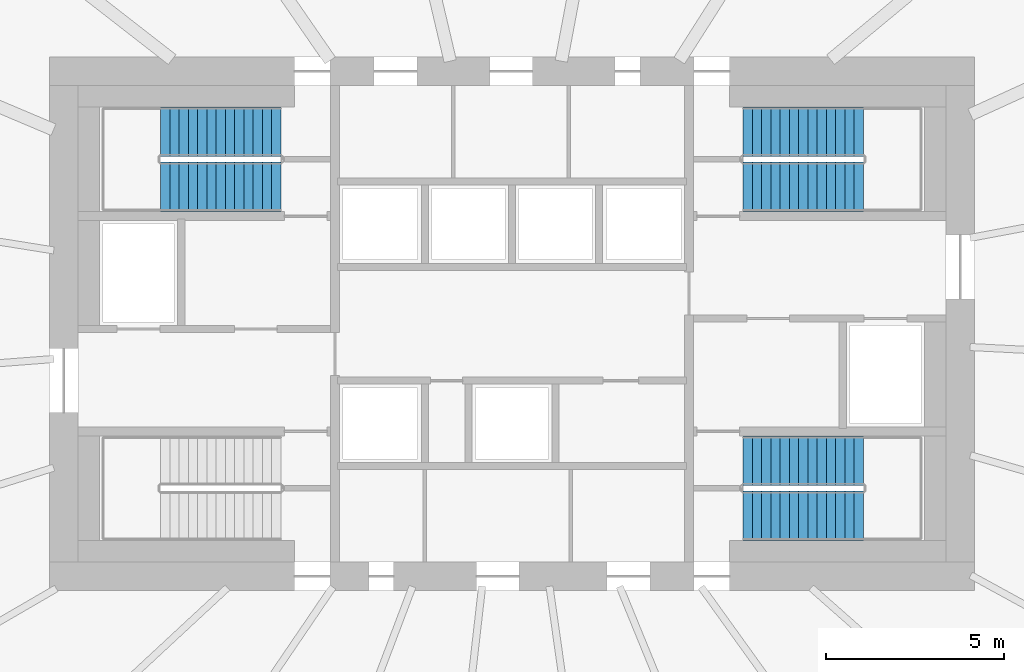
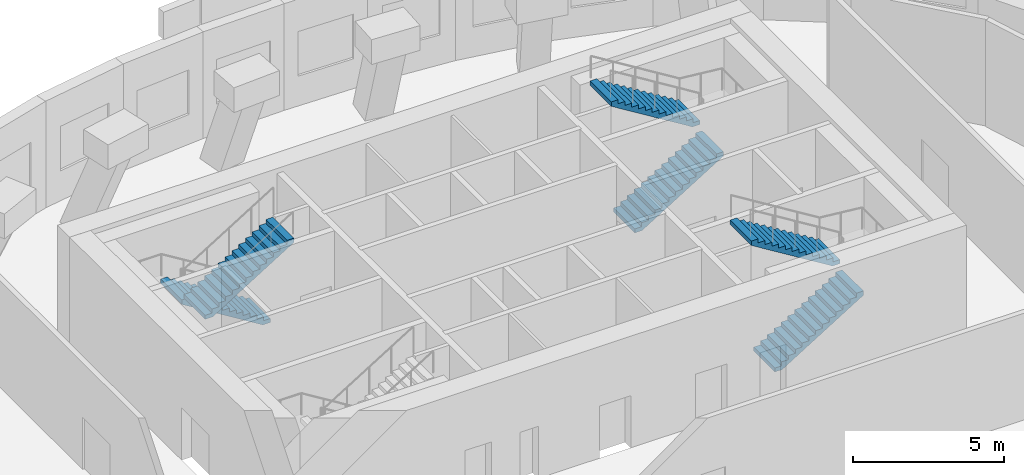
# One storey, part 8 of 9: 6 stair flights, 3 elements without a shape of their own.
"""IFC4 building model written with IfcOpenShell, lengths in metres."""

from ifc_helpers import new_model, si_unit, direction, frame, origin, place, context, subcontext, project, spatial, polyline, outline, extrude, material, type_object, element, aggregate, save


model = new_model("IFC4")

# Units and contexts
model_context = context("Model", 3, precision=1e-05, world=origin(), true_north=direction((0.0, 1.0)))
body_context = subcontext(model_context, "Body", "Model", "MODEL_VIEW")
ifc_project = project(units=[si_unit("LENGTHUNIT", "METRE"), si_unit("AREAUNIT", "SQUARE_METRE"), si_unit("VOLUMEUNIT", "CUBIC_METRE"), si_unit("PLANEANGLEUNIT", "RADIAN"), si_unit("MASSUNIT", "GRAM", prefix="KILO")], contexts=[model_context])

# Site, building, storey
site_placement = place(None, origin())
site = spatial("IfcSite", under=ifc_project, at=site_placement, CompositionType="ELEMENT")
building_placement = place(site_placement, origin())
building = spatial("IfcBuilding", under=site, at=building_placement, Name="Rubra Terraces Tower", CompositionType="ELEMENT")
storey_placement = place(building_placement, frame((0.0, 0.0, 264.300048828125)))
storey = spatial("IfcBuildingStorey", under=building, at=storey_placement, Name="L65", CompositionType="ELEMENT", Elevation=264.300048828125)

# Stair, stair flights
ifc_material = material(Name="Concrete C40", Category="concrete")
stair_type = type_object("IfcStairType", Name="Core stair 1400", PredefinedType="HALF_TURN_STAIR", material=ifc_material)
stair_1_placement = place(storey_placement, origin())
stair_1 = element("IfcStair", 1, at=stair_1_placement, inside=storey, type_object=stair_type, Name="L65 Exit stair S2", PredefinedType="HALF_TURN_STAIR")
stair_flight_type = type_object("IfcStairFlightType", Name="Core stair flight 1400", PredefinedType="STRAIGHT", material=ifc_material)
stair_flight_1_placement = place(storey_placement, frame((-6.5, 9.89990234375, 0.0), z_axis=(0.0, 0.0, 1.0), x_axis=(-1.0, 0.0, 0.0)))
stair_flight_1 = element("IfcStairFlight", 2, at=stair_flight_1_placement, type_object=stair_flight_type, Name="S2 flight 1", NumberOfRisers=14, NumberOfTreads=13, PredefinedType="STRAIGHT", RiserHeight=0.160714286, TreadLength=0.26, context=body_context, shape_type="SweptSolid", body=[
    extrude(outline(polyline([(0.0, 0.0), (0.0, 0.16064453125), (0.260009765625, 0.16064453125), (0.260009765625, 0.321533203125), (0.52001953125, 0.321533203125), (0.52001953125, 0.482177734375), (0.780029296875, 0.482177734375), (0.780029296875, 0.642822265625), (1.0400390625, 0.642822265625), (1.0400390625, 0.803466796875), (1.300048828125, 0.803466796875), (1.300048828125, 0.96435546875), (1.56005859375, 0.96435546875), (1.56005859375, 1.125), (1.820068359375, 1.125), (1.820068359375, 1.28564453125), (2.080078125, 1.28564453125), (2.080078125, 1.446533203125), (2.340087890625, 1.446533203125), (2.340087890625, 1.607177734375), (2.60009765625, 1.607177734375), (2.60009765625, 1.767822265625), (2.860107421875, 1.767822265625), (2.860107421875, 1.928466796875), (3.1201171875, 1.928466796875), (3.1201171875, 2.08935546875), (3.3798828125, 2.08935546875), (3.3798828125, 2.25), (3.3798828125, 1.9130859375), (0.28515625, 0.0), (0.0, 0.0)])), frame((0.0, 0.699951171875, 0.0), z_axis=(0.0, -1.0, 0.0), x_axis=(1.0, 0.0, 0.0)), (0.0, 0.0, 1.0), 1.39990234375),
])
stair_flight_2_placement = place(storey_placement, frame((-9.8798828125, 8.35009765625, 2.25), z_axis=(0.0, 0.0, 1.0), x_axis=(1.0, 0.0, 0.0)))
stair_flight_2 = element("IfcStairFlight", 3, at=stair_flight_2_placement, type_object=stair_flight_type, Name="S2 flight 2", NumberOfRisers=14, NumberOfTreads=13, PredefinedType="STRAIGHT", RiserHeight=0.160714286, TreadLength=0.26, context=body_context, shape_type="SweptSolid", body=[
    extrude(outline(polyline([(0.0, 0.0), (0.0, 0.16064453125), (0.260009765625, 0.16064453125), (0.260009765625, 0.321533203125), (0.52001953125, 0.321533203125), (0.52001953125, 0.482177734375), (0.780029296875, 0.482177734375), (0.780029296875, 0.642822265625), (1.0400390625, 0.642822265625), (1.0400390625, 0.803466796875), (1.300048828125, 0.803466796875), (1.300048828125, 0.96435546875), (1.56005859375, 0.96435546875), (1.56005859375, 1.125), (1.820068359375, 1.125), (1.820068359375, 1.28564453125), (2.080078125, 1.28564453125), (2.080078125, 1.446533203125), (2.340087890625, 1.446533203125), (2.340087890625, 1.607177734375), (2.60009765625, 1.607177734375), (2.60009765625, 1.767822265625), (2.860107421875, 1.767822265625), (2.860107421875, 1.928466796875), (3.1201171875, 1.928466796875), (3.1201171875, 2.08935546875), (3.3798828125, 2.08935546875), (3.3798828125, 2.25), (3.3798828125, 1.9130859375), (0.28515625, 0.0), (0.0, 0.0)])), frame((0.0, 0.699951171875, 0.0), z_axis=(0.0, -1.0, 0.0), x_axis=(1.0, 0.0, 0.0)), (0.0, 0.0, 1.0), 1.39990234375),
])
aggregate(stair_1, [stair_flight_1, stair_flight_2])

stair_2_placement = place(storey_placement, origin())
stair_2 = element("IfcStair", 4, at=stair_2_placement, inside=storey, type_object=stair_type, Name="L65 Exit stair S3", PredefinedType="HALF_TURN_STAIR")
stair_flight_3_placement = place(storey_placement, frame((6.5, 8.35009765625, 0.0), z_axis=(0.0, 0.0, 1.0), x_axis=(1.0, 0.0, 0.0)))
stair_flight_3 = element("IfcStairFlight", 5, at=stair_flight_3_placement, type_object=stair_flight_type, Name="S3 flight 1", NumberOfRisers=14, NumberOfTreads=13, PredefinedType="STRAIGHT", RiserHeight=0.160714286, TreadLength=0.26, context=body_context, shape_type="SweptSolid", body=[
    extrude(outline(polyline([(0.0, 0.0), (0.0, 0.16064453125), (0.260009765625, 0.16064453125), (0.260009765625, 0.321533203125), (0.52001953125, 0.321533203125), (0.52001953125, 0.482177734375), (0.780029296875, 0.482177734375), (0.780029296875, 0.642822265625), (1.0400390625, 0.642822265625), (1.0400390625, 0.803466796875), (1.300048828125, 0.803466796875), (1.300048828125, 0.96435546875), (1.56005859375, 0.96435546875), (1.56005859375, 1.125), (1.820068359375, 1.125), (1.820068359375, 1.28564453125), (2.080078125, 1.28564453125), (2.080078125, 1.446533203125), (2.340087890625, 1.446533203125), (2.340087890625, 1.607177734375), (2.60009765625, 1.607177734375), (2.60009765625, 1.767822265625), (2.860107421875, 1.767822265625), (2.860107421875, 1.928466796875), (3.1201171875, 1.928466796875), (3.1201171875, 2.08935546875), (3.3798828125, 2.08935546875), (3.3798828125, 2.25), (3.3798828125, 1.9130859375), (0.28515625, 0.0), (0.0, 0.0)])), frame((0.0, 0.699951171875, 0.0), z_axis=(0.0, -1.0, 0.0), x_axis=(1.0, 0.0, 0.0)), (0.0, 0.0, 1.0), 1.39990234375),
])
stair_flight_4_placement = place(storey_placement, frame((9.8798828125, 9.89990234375, 2.25), z_axis=(0.0, 0.0, 1.0), x_axis=(-1.0, 0.0, 0.0)))
stair_flight_4 = element("IfcStairFlight", 6, at=stair_flight_4_placement, type_object=stair_flight_type, Name="S3 flight 2", NumberOfRisers=14, NumberOfTreads=13, PredefinedType="STRAIGHT", RiserHeight=0.160714286, TreadLength=0.26, context=body_context, shape_type="SweptSolid", body=[
    extrude(outline(polyline([(0.0, 0.0), (0.0, 0.16064453125), (0.260009765625, 0.16064453125), (0.260009765625, 0.321533203125), (0.52001953125, 0.321533203125), (0.52001953125, 0.482177734375), (0.780029296875, 0.482177734375), (0.780029296875, 0.642822265625), (1.0400390625, 0.642822265625), (1.0400390625, 0.803466796875), (1.300048828125, 0.803466796875), (1.300048828125, 0.96435546875), (1.56005859375, 0.96435546875), (1.56005859375, 1.125), (1.820068359375, 1.125), (1.820068359375, 1.28564453125), (2.080078125, 1.28564453125), (2.080078125, 1.446533203125), (2.340087890625, 1.446533203125), (2.340087890625, 1.607177734375), (2.60009765625, 1.607177734375), (2.60009765625, 1.767822265625), (2.860107421875, 1.767822265625), (2.860107421875, 1.928466796875), (3.1201171875, 1.928466796875), (3.1201171875, 2.08935546875), (3.3798828125, 2.08935546875), (3.3798828125, 2.25), (3.3798828125, 1.9130859375), (0.28515625, 0.0), (0.0, 0.0)])), frame((0.0, 0.699951171875, 0.0), z_axis=(0.0, -1.0, 0.0), x_axis=(1.0, 0.0, 0.0)), (0.0, 0.0, 1.0), 1.39990234375),
])
aggregate(stair_2, [stair_flight_3, stair_flight_4])

stair_3_placement = place(storey_placement, origin())
stair_3 = element("IfcStair", 7, at=stair_3_placement, inside=storey, type_object=stair_type, Name="L65 Exit stair S4", PredefinedType="HALF_TURN_STAIR")
stair_flight_5_placement = place(storey_placement, frame((6.5, -0.89990234375, 0.0), z_axis=(0.0, 0.0, 1.0), x_axis=(1.0, 0.0, 0.0)))
stair_flight_5 = element("IfcStairFlight", 8, at=stair_flight_5_placement, type_object=stair_flight_type, Name="S4 flight 1", NumberOfRisers=14, NumberOfTreads=13, PredefinedType="STRAIGHT", RiserHeight=0.160714286, TreadLength=0.26, context=body_context, shape_type="SweptSolid", body=[
    extrude(outline(polyline([(0.0, 0.0), (0.0, 0.16064453125), (0.260009765625, 0.16064453125), (0.260009765625, 0.321533203125), (0.52001953125, 0.321533203125), (0.52001953125, 0.482177734375), (0.780029296875, 0.482177734375), (0.780029296875, 0.642822265625), (1.0400390625, 0.642822265625), (1.0400390625, 0.803466796875), (1.300048828125, 0.803466796875), (1.300048828125, 0.96435546875), (1.56005859375, 0.96435546875), (1.56005859375, 1.125), (1.820068359375, 1.125), (1.820068359375, 1.28564453125), (2.080078125, 1.28564453125), (2.080078125, 1.446533203125), (2.340087890625, 1.446533203125), (2.340087890625, 1.607177734375), (2.60009765625, 1.607177734375), (2.60009765625, 1.767822265625), (2.860107421875, 1.767822265625), (2.860107421875, 1.928466796875), (3.1201171875, 1.928466796875), (3.1201171875, 2.08935546875), (3.3798828125, 2.08935546875), (3.3798828125, 2.25), (3.3798828125, 1.9130859375), (0.28515625, 0.0), (0.0, 0.0)])), frame((0.0, 0.699951171875, 0.0), z_axis=(0.0, -1.0, 0.0), x_axis=(1.0, 0.0, 0.0)), (0.0, 0.0, 1.0), 1.39990234375),
])
stair_flight_6_placement = place(storey_placement, frame((9.8798828125, 0.64990234375, 2.25), z_axis=(0.0, 0.0, 1.0), x_axis=(-1.0, 0.0, 0.0)))
stair_flight_6 = element("IfcStairFlight", 9, at=stair_flight_6_placement, type_object=stair_flight_type, Name="S4 flight 2", NumberOfRisers=14, NumberOfTreads=13, PredefinedType="STRAIGHT", RiserHeight=0.160714286, TreadLength=0.26, context=body_context, shape_type="SweptSolid", body=[
    extrude(outline(polyline([(0.0, 0.0), (0.0, 0.16064453125), (0.260009765625, 0.16064453125), (0.260009765625, 0.321533203125), (0.52001953125, 0.321533203125), (0.52001953125, 0.482177734375), (0.780029296875, 0.482177734375), (0.780029296875, 0.642822265625), (1.0400390625, 0.642822265625), (1.0400390625, 0.803466796875), (1.300048828125, 0.803466796875), (1.300048828125, 0.96435546875), (1.56005859375, 0.96435546875), (1.56005859375, 1.125), (1.820068359375, 1.125), (1.820068359375, 1.28564453125), (2.080078125, 1.28564453125), (2.080078125, 1.446533203125), (2.340087890625, 1.446533203125), (2.340087890625, 1.607177734375), (2.60009765625, 1.607177734375), (2.60009765625, 1.767822265625), (2.860107421875, 1.767822265625), (2.860107421875, 1.928466796875), (3.1201171875, 1.928466796875), (3.1201171875, 2.08935546875), (3.3798828125, 2.08935546875), (3.3798828125, 2.25), (3.3798828125, 1.9130859375), (0.28515625, 0.0), (0.0, 0.0)])), frame((0.0, 0.699951171875, 0.0), z_axis=(0.0, -1.0, 0.0), x_axis=(1.0, 0.0, 0.0)), (0.0, 0.0, 1.0), 1.39990234375),
])
aggregate(stair_3, [stair_flight_5, stair_flight_6])

save(model, "model.ifc")
